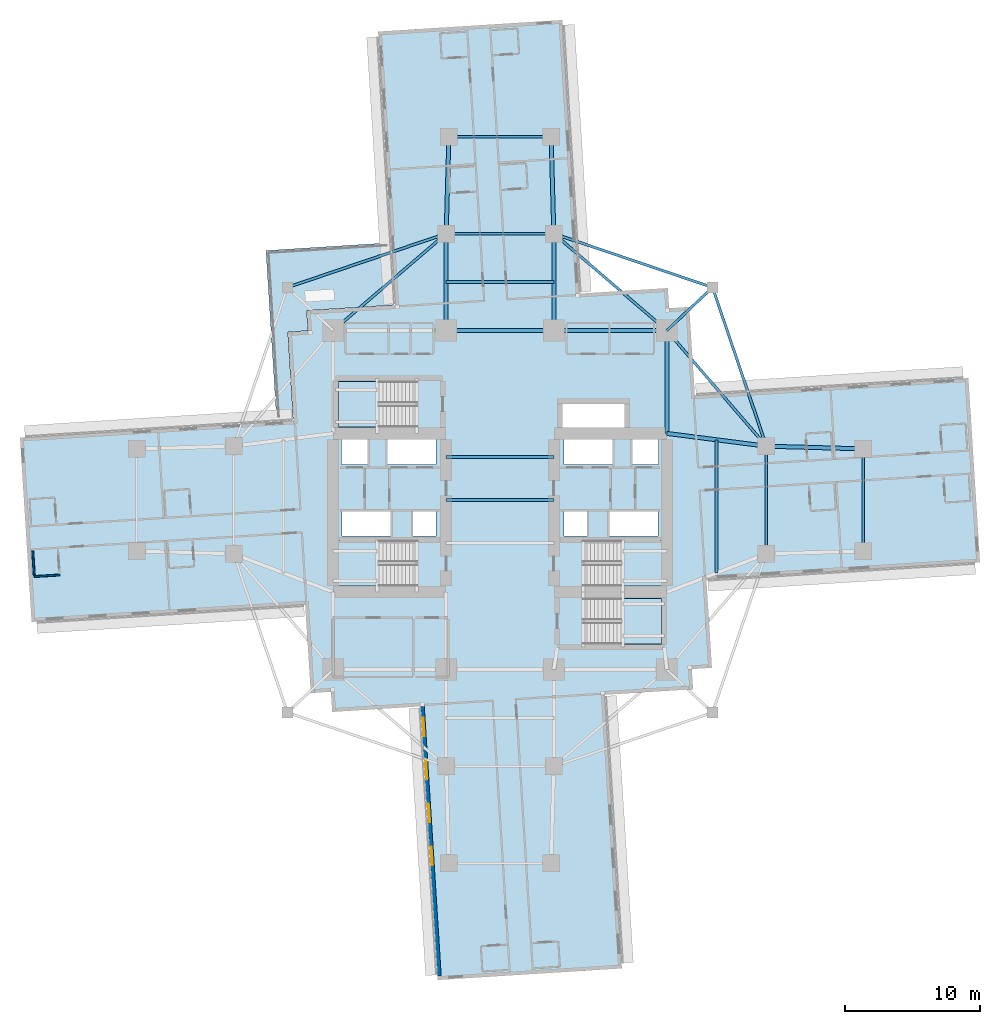
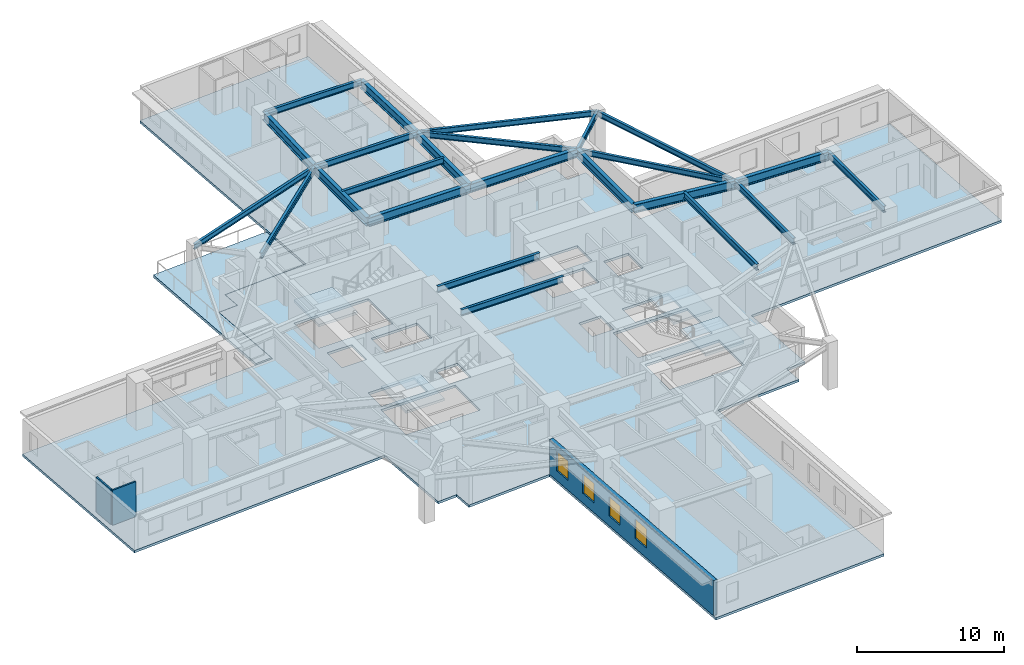
# One storey, part 2 of 14: 24 beams, 6 slabs, 4 windows, 3 walls, 4 openings, 4 elements without a shape of their own.
"""IFC4 building model written with IfcOpenShell, lengths in metres."""

from ifc_helpers import new_model, si_unit, direction, frame, frame_2d, origin, origin_2d, place, context, subcontext, project, spatial, polyline, rectangle, i_section, outline, extrude, material, layer, layer_set, material_profile, profile_set, type_object, element, fill, aggregate, save


model = new_model("IFC4")

# Units and contexts
model_context = context("Model", 3, precision=1e-05, world=origin(), true_north=direction((0.0, 1.0)))
body_context = subcontext(model_context, "Body", "Model", "MODEL_VIEW")
ifc_project = project(units=[si_unit("LENGTHUNIT", "METRE"), si_unit("AREAUNIT", "SQUARE_METRE"), si_unit("VOLUMEUNIT", "CUBIC_METRE"), si_unit("PLANEANGLEUNIT", "RADIAN"), si_unit("MASSUNIT", "GRAM", prefix="KILO")], contexts=[model_context])

# Site, building, storey
site_placement = place(None, origin())
site = spatial("IfcSite", under=ifc_project, at=site_placement, CompositionType="ELEMENT")
building_placement = place(site_placement, origin())
building = spatial("IfcBuilding", under=site, at=building_placement, Name="Qingluan Cross Belvedere", CompositionType="ELEMENT")
storey_placement = place(building_placement, frame((0.0, 0.0, 39.300048828125)))
storey = spatial("IfcBuildingStorey", under=building, at=storey_placement, Name="L10", CompositionType="ELEMENT", Elevation=39.300048828125)

# Beams
ifc_material_1 = material(Name="Steel Q420GJB", Category="steel")
ifc_material_profile_1 = material_profile(ifc_material_1, i_section(OverallWidth=0.199951171875, OverallDepth=0.449951171875, WebThickness=0.009033203125, FlangeThickness=0.013916015625, FilletRadius=0.01611328125, at=origin_2d()), Name="HN450x200x9x14")
ifc_profile_set_1 = profile_set([ifc_material_profile_1], Name="Steel Q420GJB")
beam_type_1 = type_object("IfcBeamType", Name="Steel_Beam_HN450x200x9x14", PredefinedType="JOIST", material=ifc_profile_set_1)
beam_1_placement = place(storey_placement, frame((12.39990234375, 12.60009765625, 3.474853515625), z_axis=(0.728219948308, 0.685343495546, 0.0), x_axis=(-0.685343495546, 0.728219948308, 0.0)))
element("IfcBeam", 1, at=beam_1_placement, inside=storey, type_object=beam_type_1, Name="Corner beam 1 L10-RNE", PredefinedType="JOIST", context=body_context, shape_type="SweptSolid", body=[
    extrude(i_section(OverallWidth=0.199951171875, OverallDepth=0.449951171875, WebThickness=0.009033203125, FlangeThickness=0.013916015625, FilletRadius=0.01611328125, at=origin_2d()), origin(), (0.0, 0.0, 1.0), 4.669189453125),
])
for number, where, z_axis, x_axis, name in (
    (2, (15.800048828125, 15.800048828125, 3.474853515625), (-0.947066283324, 0.321038089628, 0.0), (-0.321038089628, -0.947066283324, 0.0), "Corner beam 2 L10-RNE"),
    (3, (15.800048828125, 15.800048828125, 3.474853515625), (0.321038089628, -0.947066283324, 0.0), (0.947066283324, 0.321038089628, 0.0), "Corner beam 3 L10-RNE"),
):
    element("IfcBeam", number, at=place(storey_placement, frame(where, z_axis=z_axis, x_axis=x_axis)), inside=storey, type_object=beam_type_1, Name=name, PredefinedType="JOIST", context=body_context, shape_type="SweptSolid", body=[
        extrude(i_section(OverallWidth=0.199951171875, OverallDepth=0.449951171875, WebThickness=0.009033203125, FlangeThickness=0.013916015625, FilletRadius=0.01611328125, at=origin_2d()), origin(), (0.0, 0.0, 1.0), 12.45947265625),
    ])
beam_2_placement = place(storey_placement, frame((12.39990234375, 12.60009765625, 3.474853515625), z_axis=(0.652245077546, -0.75800815221, 0.0), x_axis=(0.75800815221, 0.652245077546, 0.0)))
element("IfcBeam", 4, at=beam_2_placement, inside=storey, type_object=beam_type_1, Name="Corner beam 4 L10-RNE", PredefinedType="JOIST", context=body_context, shape_type="SweptSolid", body=[
    extrude(i_section(OverallWidth=0.199951171875, OverallDepth=0.449951171875, WebThickness=0.009033203125, FlangeThickness=0.013916015625, FilletRadius=0.01611328125, at=origin_2d()), origin(), (0.0, 0.0, 1.0), 11.345703125),
])
beam_3_placement = place(storey_placement, frame((12.39990234375, 12.60009765625, 3.474853515625), z_axis=(-0.759255044656, 0.650793190779, 0.0), x_axis=(-0.650793190779, -0.759255044656, 0.0)))
element("IfcBeam", 5, at=beam_3_placement, inside=storey, type_object=beam_type_1, Name="Corner beam 5 L10-RNE", PredefinedType="JOIST", context=body_context, shape_type="SweptSolid", body=[
    extrude(i_section(OverallWidth=0.199951171875, OverallDepth=0.449951171875, WebThickness=0.009033203125, FlangeThickness=0.013916015625, FilletRadius=0.01611328125, at=origin_2d()), origin(), (0.0, 0.0, 1.0), 11.063232421875),
])
beam_4_placement = place(storey_placement, frame((-15.800048828125, 15.800048828125, 3.454833984375), z_axis=(0.947066283324, 0.321038089628, 0.0), x_axis=(-0.321038089628, 0.947066283324, 0.0)))
element("IfcBeam", 6, at=beam_4_placement, inside=storey, type_object=beam_type_1, Name="Corner beam 2 L10-RNW", PredefinedType="JOIST", context=body_context, shape_type="SweptSolid", body=[
    extrude(i_section(OverallWidth=0.199951171875, OverallDepth=0.449951171875, WebThickness=0.009033203125, FlangeThickness=0.013916015625, FilletRadius=0.01611328125, at=origin_2d()), origin(), (0.0, 0.0, 1.0), 12.45947265625),
])
beam_5_placement = place(storey_placement, frame((-12.39990234375, 12.60009765625, 3.454833984375), z_axis=(0.759255044656, 0.650793190779, 0.0), x_axis=(-0.650793190779, 0.759255044656, 0.0)))
element("IfcBeam", 7, at=beam_5_placement, inside=storey, type_object=beam_type_1, Name="Corner beam 5 L10-RNW", PredefinedType="JOIST", context=body_context, shape_type="SweptSolid", body=[
    extrude(i_section(OverallWidth=0.199951171875, OverallDepth=0.449951171875, WebThickness=0.009033203125, FlangeThickness=0.013916015625, FilletRadius=0.01611328125, at=origin_2d()), origin(), (0.0, 0.0, 1.0), 11.063232421875),
])
ifc_material_2 = material(Name="Steel Q420GJB", Category="steel")
ifc_material_profile_2 = material_profile(ifc_material_2, i_section(OverallWidth=0.199951171875, OverallDepth=0.5, WebThickness=0.010009765625, FlangeThickness=0.01611328125, FilletRadius=0.01611328125, at=origin_2d()), Name="HN500x200x10x16")
ifc_profile_set_2 = profile_set([ifc_material_profile_2], Name="Steel Q420GJB")
beam_type_2 = type_object("IfcBeamType", Name="Steel_Beam_HN500x200x10x16", PredefinedType="JOIST", material=ifc_profile_set_2)
for number, where, z_axis, x_axis, name in (
    (8, (-4.0, 0.0, 3.449951171875), (1.0, 0.0, 0.0), (0.0, 1.0, 0.0), "Hall beam L10-CH2"),
    (9, (-4.0, 3.199951171875, 3.449951171875), (1.0, 0.0, 0.0), (0.0, 1.0, 0.0), "Hall beam L10-CH3"),
    (10, (19.800048828125, -4.0, 3.449951171875), (0.0, 1.0, 0.0), (-1.0, 0.0, 0.0), "Arm E tie L10"),
):
    element("IfcBeam", number, at=place(storey_placement, frame(where, z_axis=z_axis, x_axis=x_axis)), inside=storey, type_object=beam_type_2, Name=name, PredefinedType="JOIST", context=body_context, shape_type="SweptSolid", body=[
        extrude(i_section(OverallWidth=0.199951171875, OverallDepth=0.5, WebThickness=0.010009765625, FlangeThickness=0.01611328125, FilletRadius=0.01611328125, at=origin_2d()), origin(), (0.0, 0.0, 1.0), 8.0),
    ])
beam_6_placement = place(storey_placement, frame((16.10009765625, -5.425048828125, 3.449951171875), z_axis=(0.0, 1.0, 0.0), x_axis=(-1.0, 0.0, 0.0)))
element("IfcBeam", 11, at=beam_6_placement, inside=storey, type_object=beam_type_2, Name="Arm E beam L10", PredefinedType="JOIST", context=body_context, shape_type="SweptSolid", body=[
    extrude(i_section(OverallWidth=0.199951171875, OverallDepth=0.5, WebThickness=0.010009765625, FlangeThickness=0.01611328125, FilletRadius=0.01611328125, at=origin_2d()), origin(), (0.0, 0.0, 1.0), 9.900146484375),
])
beam_7_placement = place(storey_placement, frame((27.0, -3.800048828125, 3.449951171875), z_axis=(0.0, 1.0, 0.0), x_axis=(-1.0, 0.0, 0.0)))
element("IfcBeam", 12, at=beam_7_placement, inside=storey, type_object=beam_type_2, Name="Arm E tip transverse beam L10", PredefinedType="JOIST", context=body_context, shape_type="SweptSolid", body=[
    extrude(i_section(OverallWidth=0.199951171875, OverallDepth=0.5, WebThickness=0.010009765625, FlangeThickness=0.01611328125, FilletRadius=0.01611328125, at=origin_2d()), origin(), (0.0, 0.0, 1.0), 7.60009765625),
])
for number, where, z_axis, x_axis, name in (
    (13, (-4.0, 19.800048828125, 3.449951171875), (1.0, 0.0, 0.0), (0.0, 1.0, 0.0), "Arm N tie L10"),
    (14, (-4.0, 16.199951171875, 3.449951171875), (1.0, 0.0, 0.0), (0.0, 1.0, 0.0), "Arm N beam L10"),
):
    element("IfcBeam", number, at=place(storey_placement, frame(where, z_axis=z_axis, x_axis=x_axis)), inside=storey, type_object=beam_type_2, Name=name, PredefinedType="JOIST", context=body_context, shape_type="SweptSolid", body=[
        extrude(i_section(OverallWidth=0.199951171875, OverallDepth=0.5, WebThickness=0.010009765625, FlangeThickness=0.01611328125, FilletRadius=0.01611328125, at=origin_2d()), origin(), (0.0, 0.0, 1.0), 8.0),
    ])
beam_8_placement = place(storey_placement, frame((-3.800048828125, 27.0, 3.449951171875), z_axis=(1.0, 0.0, 0.0), x_axis=(0.0, 1.0, 0.0)))
element("IfcBeam", 15, at=beam_8_placement, inside=storey, type_object=beam_type_2, Name="Arm N tip transverse beam L10", PredefinedType="JOIST", context=body_context, shape_type="SweptSolid", body=[
    extrude(i_section(OverallWidth=0.199951171875, OverallDepth=0.5, WebThickness=0.010009765625, FlangeThickness=0.01611328125, FilletRadius=0.01611328125, at=origin_2d()), origin(), (0.0, 0.0, 1.0), 7.60009765625),
])
ifc_material_3 = material(Name="Steel Q420GJB", Category="steel")
ifc_material_profile_3 = material_profile(ifc_material_3, i_section(OverallWidth=0.300048828125, OverallDepth=0.699951171875, WebThickness=0.014892578125, FlangeThickness=0.027099609375, FilletRadius=0.027099609375, at=origin_2d()), Name="HEB700")
ifc_profile_set_3 = profile_set([ifc_material_profile_3], Name="Steel Q420GJB")
beam_type_3 = type_object("IfcBeamType", Name="Steel_Girder_HEB700", PredefinedType="USERDEFINED", material=ifc_profile_set_3)
beam_9_placement = place(storey_placement, frame((-4.0, 12.60009765625, 3.349853515625), z_axis=(1.0, 0.0, 0.0), x_axis=(0.0, 1.0, 0.0)))
element("IfcBeam", 16, at=beam_9_placement, inside=storey, type_object=beam_type_3, Name="Hub girder L10-HG-N2", ObjectType="GIRDER", PredefinedType="USERDEFINED", context=body_context, shape_type="SweptSolid", body=[
    extrude(i_section(OverallWidth=0.300048828125, OverallDepth=0.699951171875, WebThickness=0.014892578125, FlangeThickness=0.027099609375, FilletRadius=0.027099609375, at=origin_2d()), origin(), (0.0, 0.0, 1.0), 8.0),
])
beam_10_placement = place(storey_placement, frame((4.0, 12.60009765625, 3.349853515625), z_axis=(1.0, 0.0, 0.0), x_axis=(0.0, 1.0, 0.0)))
element("IfcBeam", 17, at=beam_10_placement, inside=storey, type_object=beam_type_3, Name="Hub girder L10-HG-N3", ObjectType="GIRDER", PredefinedType="USERDEFINED", context=body_context, shape_type="SweptSolid", body=[
    extrude(i_section(OverallWidth=0.300048828125, OverallDepth=0.699951171875, WebThickness=0.014892578125, FlangeThickness=0.027099609375, FilletRadius=0.027099609375, at=origin_2d()), origin(), (0.0, 0.0, 1.0), 8.39990234375),
])
beam_11_placement = place(storey_placement, frame((12.39990234375, 4.949951171875, 3.349853515625), z_axis=(0.0, 1.0, 0.0), x_axis=(-1.0, 0.0, 0.0)))
element("IfcBeam", 18, at=beam_11_placement, inside=storey, type_object=beam_type_3, Name="Hub girder L10-HG-E2", ObjectType="GIRDER", PredefinedType="USERDEFINED", context=body_context, shape_type="SweptSolid", body=[
    extrude(i_section(OverallWidth=0.300048828125, OverallDepth=0.699951171875, WebThickness=0.014892578125, FlangeThickness=0.027099609375, FilletRadius=0.027099609375, at=origin_2d()), origin(), (0.0, 0.0, 1.0), 7.650146484375),
])
beam_12_placement = place(storey_placement, frame((12.39990234375, 4.949951171875, 3.349853515625), z_axis=(0.991861120628, -0.12732445714, 0.0), x_axis=(0.12732445714, 0.991861120628, 0.0)))
element("IfcBeam", 19, at=beam_12_placement, inside=storey, type_object=beam_type_3, Name="Arm E radial girder B L10", ObjectType="GIRDER", PredefinedType="USERDEFINED", context=body_context, shape_type="SweptSolid", body=[
    extrude(i_section(OverallWidth=0.300048828125, OverallDepth=0.699951171875, WebThickness=0.014892578125, FlangeThickness=0.027099609375, FilletRadius=0.027099609375, at=origin_2d()), origin(), (0.0, 0.0, 1.0), 7.4609375),
])
beam_13_placement = place(storey_placement, frame((19.800048828125, 4.0, 3.349853515625), z_axis=(0.999614603568, -0.027760481514, 0.0), x_axis=(0.027760481514, 0.999614603568, 0.0)))
element("IfcBeam", 20, at=beam_13_placement, inside=storey, type_object=beam_type_3, Name="Arm E outer radial girder B L10", ObjectType="GIRDER", PredefinedType="USERDEFINED", context=body_context, shape_type="SweptSolid", body=[
    extrude(i_section(OverallWidth=0.300048828125, OverallDepth=0.699951171875, WebThickness=0.014892578125, FlangeThickness=0.027099609375, FilletRadius=0.027099609375, at=origin_2d()), origin(), (0.0, 0.0, 1.0), 7.20263671875),
])
for number, where, z_axis, x_axis, name in (
    (21, (-4.0, 12.60009765625, 3.349853515625), (0.0, 1.0, 0.0), (-1.0, 0.0, 0.0), "Arm N radial girder A L10"),
    (22, (4.0, 12.60009765625, 3.349853515625), (0.0, 1.0, 0.0), (-1.0, 0.0, 0.0), "Arm N radial girder B L10"),
):
    element("IfcBeam", number, at=place(storey_placement, frame(where, z_axis=z_axis, x_axis=x_axis)), inside=storey, type_object=beam_type_3, Name=name, ObjectType="GIRDER", PredefinedType="USERDEFINED", context=body_context, shape_type="SweptSolid", body=[
        extrude(i_section(OverallWidth=0.300048828125, OverallDepth=0.699951171875, WebThickness=0.014892578125, FlangeThickness=0.027099609375, FilletRadius=0.027099609375, at=origin_2d()), origin(), (0.0, 0.0, 1.0), 7.199951171875),
    ])
for number, where, z_axis, x_axis, name in (
    (23, (-4.0, 19.800048828125, 3.349853515625), (0.027760481514, 0.999614603568, 0.0), (-0.999614603568, 0.027760481514, 0.0), "Arm N outer radial girder A L10"),
    (24, (4.0, 19.800048828125, 3.349853515625), (-0.027760481514, 0.999614603568, 0.0), (-0.999614603568, -0.027760481514, 0.0), "Arm N outer radial girder B L10"),
):
    element("IfcBeam", number, at=place(storey_placement, frame(where, z_axis=z_axis, x_axis=x_axis)), inside=storey, type_object=beam_type_3, Name=name, ObjectType="GIRDER", PredefinedType="USERDEFINED", context=body_context, shape_type="SweptSolid", body=[
        extrude(i_section(OverallWidth=0.300048828125, OverallDepth=0.699951171875, WebThickness=0.014892578125, FlangeThickness=0.027099609375, FilletRadius=0.027099609375, at=origin_2d()), origin(), (0.0, 0.0, 1.0), 7.20263671875),
    ])

# Slab
ifc_material_4 = material(Name="Concrete C40", Category="concrete")
ifc_layer_1 = layer(ifc_material_4, 0.199951171875, Name="FloorSlab_200")
ifc_layer_set_1 = layer_set([ifc_layer_1], Name="Concrete C40")
slab_type_1 = type_object("IfcSlabType", Name="FloorSlab_200", PredefinedType="FLOOR", material=ifc_layer_set_1)
slab_1_placement = place(storey_placement, frame((0.0, 0.0, -0.199951171875)))
element("IfcSlab", 25, at=slab_1_placement, inside=storey, type_object=slab_type_1, Name="Structural floor slab L10", PredefinedType="FLOOR", context=body_context, shape_type="SweptSolid", body=[
    extrude(outline(polyline([(9.064208984375, -34.819580078125), (7.78466796875, -14.479736328125), (14.3515625, -14.066650390625), (14.25732421875, -12.569580078125), (15.75439453125, -12.475341796875), (15.34130859375, -5.908447265625), (35.680908203125, -4.628662109375), (34.819580078125, 9.064208984375), (14.479736328125, 7.78466796875), (14.066650390625, 14.3515625), (12.569580078125, 14.25732421875), (12.475341796875, 15.75439453125), (5.908447265625, 15.34130859375), (4.628662109375, 35.680908203125), (-9.064208984375, 34.819580078125), (-7.78466796875, 14.479736328125), (-14.3515625, 14.066650390625), (-14.25732421875, 12.569580078125), (-15.75439453125, 12.475341796875), (-15.34130859375, 5.908447265625), (-35.680908203125, 4.628662109375), (-34.819580078125, -9.064208984375), (-14.479736328125, -7.78466796875), (-14.066650390625, -14.3515625), (-12.569580078125, -14.25732421875), (-12.475341796875, -15.75439453125), (-5.908447265625, -15.34130859375), (-4.628662109375, -35.680908203125), (9.064208984375, -34.819580078125)]), holes=[polyline([(-12.0, -3.0), (-6.179931640625, -3.0), (-6.179931640625, -6.39990234375), (-12.0, -6.39990234375), (-12.0, -3.0)]), polyline([(6.179931640625, -3.0), (12.0, -3.0), (12.0, -6.39990234375), (6.179931640625, -6.39990234375), (6.179931640625, -3.0)]), polyline([(-12.0, 8.820068359375), (-6.179931640625, 8.820068359375), (-6.179931640625, 5.419921875), (-12.0, 5.419921875), (-12.0, 8.820068359375)]), polyline([(6.179931640625, -7.320068359375), (12.0, -7.320068359375), (12.0, -10.719970703125), (6.179931640625, -10.719970703125), (6.179931640625, -7.320068359375)]), polyline([(-11.800048828125, 4.64990234375), (-9.85009765625, 4.64990234375), (-9.85009765625, 2.64990234375), (-11.800048828125, 2.64990234375), (-11.800048828125, 4.64990234375)]), polyline([(-8.35009765625, 4.64990234375), (-4.75, 4.64990234375), (-4.75, 2.64990234375), (-8.35009765625, 2.64990234375), (-8.35009765625, 4.64990234375)]), polyline([(4.75, 4.64990234375), (8.35009765625, 4.64990234375), (8.35009765625, 2.64990234375), (4.75, 2.64990234375), (4.75, 4.64990234375)]), polyline([(9.85009765625, 4.64990234375), (11.800048828125, 4.64990234375), (11.800048828125, 2.64990234375), (9.85009765625, 2.64990234375), (9.85009765625, 4.64990234375)]), polyline([(-11.75, -0.840087890625), (-8.14990234375, -0.840087890625), (-8.14990234375, -2.659912109375), (-11.75, -2.659912109375), (-11.75, -0.840087890625)]), polyline([(-6.449951171875, -0.840087890625), (-4.75, -0.840087890625), (-4.75, -2.659912109375), (-6.449951171875, -2.659912109375), (-6.449951171875, -0.840087890625)]), polyline([(4.75, -0.840087890625), (6.449951171875, -0.840087890625), (6.449951171875, -2.659912109375), (4.75, -2.659912109375), (4.75, -0.840087890625)]), polyline([(8.14990234375, -0.840087890625), (11.75, -0.840087890625), (11.75, -2.659912109375), (8.14990234375, -2.659912109375), (8.14990234375, -0.840087890625)]), polyline([(4.64990234375, 7.14990234375), (9.25, 7.14990234375), (9.25, 5.14990234375), (4.64990234375, 5.14990234375), (4.64990234375, 7.14990234375)])]), origin(), (0.0, 0.0, 1.0), 0.199951171875),
])

# Stair, slab
ifc_material_5 = material(Name="Concrete C40", Category="concrete")
stair_type = type_object("IfcStairType", Name="CoreDoglegStair_1620", PredefinedType="HALF_TURN_STAIR", material=ifc_material_5)
stair_1_placement = place(storey_placement, origin())
stair_1 = element("IfcStair", 26, at=stair_1_placement, inside=storey, type_object=stair_type, Name="L10 ST1", PredefinedType="HALF_TURN_STAIR")
ifc_material_6 = material(Name="Concrete C40", Category="concrete")
ifc_layer_2 = layer(ifc_material_6, 0.179931640625, Name="StairLandingSlab_180")
ifc_layer_set_2 = layer_set([ifc_layer_2], Name="Concrete C40")
slab_type_2 = type_object("IfcSlabType", Name="StairLandingSlab_180", PredefinedType="LANDING", material=ifc_layer_set_2)
slab_2_placement = place(storey_placement, frame((0.0, 0.0, 1.75)))
slab_2 = element("IfcSlab", 27, at=slab_2_placement, type_object=slab_type_2, Name="ST1 landing 1", PredefinedType="LANDING", context=body_context, shape_type="SweptSolid", body=[
    extrude(outline(polyline([(-8.97998046875, -3.0), (-12.0, -3.0), (-12.0, -6.39990234375), (-8.97998046875, -6.39990234375), (-8.97998046875, -3.0)])), origin(), (0.0, 0.0, 1.0), 0.199951171875),
])
aggregate(stair_1, [slab_2])

stair_2_placement = place(storey_placement, origin())
stair_2 = element("IfcStair", 28, at=stair_2_placement, inside=storey, type_object=stair_type, Name="L10 ST2", PredefinedType="HALF_TURN_STAIR")
slab_3_placement = place(storey_placement, frame((0.0, 0.0, 1.75)))
slab_3 = element("IfcSlab", 29, at=slab_3_placement, type_object=slab_type_2, Name="ST2 landing 1", PredefinedType="LANDING", context=body_context, shape_type="SweptSolid", body=[
    extrude(outline(polyline([(8.97998046875, -6.39990234375), (12.0, -6.39990234375), (12.0, -3.0), (8.97998046875, -3.0), (8.97998046875, -6.39990234375)])), origin(), (0.0, 0.0, 1.0), 0.199951171875),
])
aggregate(stair_2, [slab_3])

stair_3_placement = place(storey_placement, origin())
stair_3 = element("IfcStair", 30, at=stair_3_placement, inside=storey, type_object=stair_type, Name="L10 ST3", PredefinedType="HALF_TURN_STAIR")
slab_4_placement = place(storey_placement, frame((0.0, 0.0, 1.75)))
slab_4 = element("IfcSlab", 31, at=slab_4_placement, type_object=slab_type_2, Name="ST3 landing 1", PredefinedType="LANDING", context=body_context, shape_type="SweptSolid", body=[
    extrude(outline(polyline([(-8.97998046875, 8.820068359375), (-12.0, 8.820068359375), (-12.0, 5.419921875), (-8.97998046875, 5.419921875), (-8.97998046875, 8.820068359375)])), origin(), (0.0, 0.0, 1.0), 0.199951171875),
])
aggregate(stair_3, [slab_4])

stair_4_placement = place(storey_placement, origin())
stair_4 = element("IfcStair", 32, at=stair_4_placement, inside=storey, type_object=stair_type, Name="L10 ST4", PredefinedType="HALF_TURN_STAIR")
slab_5_placement = place(storey_placement, frame((0.0, 0.0, 1.75)))
slab_5 = element("IfcSlab", 33, at=slab_5_placement, type_object=slab_type_2, Name="ST4 landing 1", PredefinedType="LANDING", context=body_context, shape_type="SweptSolid", body=[
    extrude(outline(polyline([(8.97998046875, -10.719970703125), (12.0, -10.719970703125), (12.0, -7.320068359375), (8.97998046875, -7.320068359375), (8.97998046875, -10.719970703125)])), origin(), (0.0, 0.0, 1.0), 0.199951171875),
])
aggregate(stair_4, [slab_5])

# Slab
ifc_material_7 = material(Name="Concrete C40", Category="concrete")
ifc_layer_3 = layer(ifc_material_7, 0.219970703125, Name="TerraceSlab_220")
ifc_layer_set_3 = layer_set([ifc_layer_3], Name="Concrete C40")
slab_type_3 = type_object("IfcSlabType", Name="TerraceSlab_220", PredefinedType="FLOOR", material=ifc_layer_set_3)
slab_6_placement = place(storey_placement, frame((0.0, 0.0, -0.219970703125)))
element("IfcSlab", 34, at=slab_6_placement, inside=storey, type_object=slab_type_3, Name="Spiralling winter-garden terrace slab L10", PredefinedType="FLOOR", context=body_context, shape_type="SweptSolid", body=[
    extrude(outline(polyline([(-15.360107421875, 6.047607421875), (-15.76318359375, 12.48046875), (-14.26806640625, 12.578857421875), (-14.361572265625, 14.06591796875), (-14.35400390625, 14.076416015625), (-7.9248046875, 14.48095703125), (-8.216796875, 19.121826171875), (-17.398681640625, 18.544189453125), (-16.607666015625, 5.968994140625), (-15.360107421875, 6.047607421875)])), origin(), (0.0, 0.0, 1.0), 0.219970703125),
])

# Walls
ifc_material_8 = material(Name="Moisture-resistant gypsum board lining")
ifc_layer_4 = layer(ifc_material_8, 0.1201171875, Name="EnsuiteWetPartition_120")
ifc_layer_set_4 = layer_set([ifc_layer_4], Name="Moisture-resistant gypsum board lining")
wall_type_1 = type_object("IfcWallType", Name="EnsuiteWetPartition_120", PredefinedType="PARTITIONING", material=ifc_layer_set_4)
wall_1_placement = place(storey_placement, frame((-34.614990234375, -5.62451171875, 0.0), z_axis=(0.0, 0.0, 1.0), x_axis=(-0.062912758763, 0.998019030272, 0.0)))
element("IfcWall", 35, at=wall_1_placement, inside=storey, type_object=wall_type_1, Name="Partition L10:W:bw1_1", PredefinedType="PARTITIONING", context=body_context, shape_type="SweptSolid", body=[
    extrude(rectangle(XDim=1.820068359375, YDim=0.1201171875, at=frame_2d((0.91015625, 0.0))), origin(), (0.0, 0.0, 1.0), 2.89990234375),
])
wall_2_placement = place(storey_placement, frame((-32.73486328125, -5.5712890625, 0.0), z_axis=(0.0, 0.0, 1.0), x_axis=(-0.998022650819, -0.062855297722, 0.0)))
element("IfcWall", 36, at=wall_2_placement, inside=storey, type_object=wall_type_1, Name="Partition L10:W:bc1_1", PredefinedType="PARTITIONING", context=body_context, shape_type="SweptSolid", body=[
    extrude(rectangle(XDim=1.8798828125, YDim=0.1201171875, at=frame_2d((0.93994140625, 0.0))), origin(), (0.0, 0.0, 1.0), 2.89990234375),
])

# Wall, openings, windows
ifc_material_9 = material(Name="Precast concrete C45", Category="concrete")
ifc_layer_5 = layer(ifc_material_9, 0.280029296875, Name="PrecastFacadeWall_280")
ifc_layer_set_5 = layer_set([ifc_layer_5], Name="Precast concrete C45")
wall_type_2 = type_object("IfcWallType", Name="PrecastFacadeWall_280", PredefinedType="STANDARD", material=ifc_layer_set_5)
wall_3_placement = place(storey_placement, frame((-5.7685546875, -15.33251953125, 0.0), z_axis=(0.0, 0.0, 1.0), x_axis=(0.062784355807, -0.998027116198, 0.0)))
wall_3 = element("IfcWall", 37, at=wall_3_placement, inside=storey, type_object=wall_type_2, Name="Facade wall L10-SA", PredefinedType="STANDARD", context=body_context, shape_type="SweptSolid", body=[
    extrude(rectangle(XDim=20.099853515625, YDim=0.280029296875, at=frame_2d((10.0498046875, 0.0))), origin(), (0.0, 0.0, 1.0), 2.909912109375),
])
opening_1_placement = place(wall_3_placement, frame((0.85009765625, 0.0, 0.800048828125)))
opening_1 = element("IfcOpeningElement", 38, at=opening_1_placement, cuts=wall_3, Name="Opening W-01", PredefinedType="OPENING", context=body_context, shape_type="SweptSolid", body=[
    extrude(rectangle(XDim=1.39990234375, YDim=1.60009765625, at=frame_2d((0.699951171875, 0.800048828125))), frame((0.0, 0.14990234375, 0.0), z_axis=(0.0, -1.0, 0.0), x_axis=(1.0, 0.0, 0.0)), (0.0, 0.0, 1.0), 0.300048828125),
])
opening_2_placement = place(wall_3_placement, frame((4.050048828125, 0.0, 0.800048828125)))
opening_2 = element("IfcOpeningElement", 39, at=opening_2_placement, cuts=wall_3, Name="Opening W-01", PredefinedType="OPENING", context=body_context, shape_type="SweptSolid", body=[
    extrude(rectangle(XDim=1.39990234375, YDim=1.60009765625, at=frame_2d((0.699951171875, 0.800048828125))), frame((0.0, 0.14990234375, 0.0), z_axis=(0.0, -1.0, 0.0), x_axis=(1.0, 0.0, 0.0)), (0.0, 0.0, 1.0), 0.300048828125),
])
opening_3_placement = place(wall_3_placement, frame((7.25, 0.0, 0.800048828125)))
opening_3 = element("IfcOpeningElement", 40, at=opening_3_placement, cuts=wall_3, Name="Opening W-01", PredefinedType="OPENING", context=body_context, shape_type="SweptSolid", body=[
    extrude(rectangle(XDim=1.39990234375, YDim=1.60009765625, at=frame_2d((0.699951171875, 0.800048828125))), frame((0.0, 0.14990234375, 0.0), z_axis=(0.0, -1.0, 0.0), x_axis=(1.0, 0.0, 0.0)), (0.0, 0.0, 1.0), 0.300048828125),
])
opening_4_placement = place(wall_3_placement, frame((10.449951171875, 0.0, 0.800048828125)))
opening_4 = element("IfcOpeningElement", 41, at=opening_4_placement, cuts=wall_3, Name="Opening W-01", PredefinedType="OPENING", context=body_context, shape_type="SweptSolid", body=[
    extrude(rectangle(XDim=1.39990234375, YDim=1.60009765625, at=frame_2d((0.699951171875, 0.800048828125))), frame((0.0, 0.14990234375, 0.0), z_axis=(0.0, -1.0, 0.0), x_axis=(1.0, 0.0, 0.0)), (0.0, 0.0, 1.0), 0.300048828125),
])
ifc_material_10 = material(Name="Thermally broken triple Low-E glass in aluminium frame", Category="aluminium")
window_type = type_object("IfcWindowType", Name="TriRibbonWin_1400x1600", PartitioningType="SINGLE_PANEL", PredefinedType="WINDOW", material=ifc_material_10)
window_1_placement = place(opening_1_placement, origin())
window_1 = element("IfcWindow", 42, at=window_1_placement, inside=storey, type_object=window_type, Name="Ribbon window L10-SA-1", OverallHeight=1.60009765625, OverallWidth=1.39990234375, PartitioningType="SINGLE_PANEL", PredefinedType="WINDOW", context=body_context, shape_type="SweptSolid", body=[
    extrude(rectangle(XDim=1.39990234375, YDim=1.60009765625, at=frame_2d((0.699951171875, 0.800048828125))), frame((0.0, 0.030029296875, 0.0), z_axis=(0.0, -1.0, 0.0), x_axis=(1.0, 0.0, 0.0)), (0.0, 0.0, 1.0), 0.06005859375),
])
fill(opening_1, window_1)
window_2_placement = place(opening_2_placement, origin())
window_2 = element("IfcWindow", 43, at=window_2_placement, inside=storey, type_object=window_type, Name="Ribbon window L10-SA-2", OverallHeight=1.60009765625, OverallWidth=1.39990234375, PartitioningType="SINGLE_PANEL", PredefinedType="WINDOW", context=body_context, shape_type="SweptSolid", body=[
    extrude(rectangle(XDim=1.39990234375, YDim=1.60009765625, at=frame_2d((0.699951171875, 0.800048828125))), frame((0.0, 0.030029296875, 0.0), z_axis=(0.0, -1.0, 0.0), x_axis=(1.0, 0.0, 0.0)), (0.0, 0.0, 1.0), 0.06005859375),
])
fill(opening_2, window_2)
window_3_placement = place(opening_3_placement, origin())
window_3 = element("IfcWindow", 44, at=window_3_placement, inside=storey, type_object=window_type, Name="Ribbon window L10-SA-3", OverallHeight=1.60009765625, OverallWidth=1.39990234375, PartitioningType="SINGLE_PANEL", PredefinedType="WINDOW", context=body_context, shape_type="SweptSolid", body=[
    extrude(rectangle(XDim=1.39990234375, YDim=1.60009765625, at=frame_2d((0.699951171875, 0.800048828125))), frame((0.0, 0.030029296875, 0.0), z_axis=(0.0, -1.0, 0.0), x_axis=(1.0, 0.0, 0.0)), (0.0, 0.0, 1.0), 0.06005859375),
])
fill(opening_3, window_3)
window_4_placement = place(opening_4_placement, origin())
window_4 = element("IfcWindow", 45, at=window_4_placement, inside=storey, type_object=window_type, Name="Ribbon window L10-SA-4", OverallHeight=1.60009765625, OverallWidth=1.39990234375, PartitioningType="SINGLE_PANEL", PredefinedType="WINDOW", context=body_context, shape_type="SweptSolid", body=[
    extrude(rectangle(XDim=1.39990234375, YDim=1.60009765625, at=frame_2d((0.699951171875, 0.800048828125))), frame((0.0, 0.030029296875, 0.0), z_axis=(0.0, -1.0, 0.0), x_axis=(1.0, 0.0, 0.0)), (0.0, 0.0, 1.0), 0.06005859375),
])
fill(opening_4, window_4)

save(model, "model.ifc")
